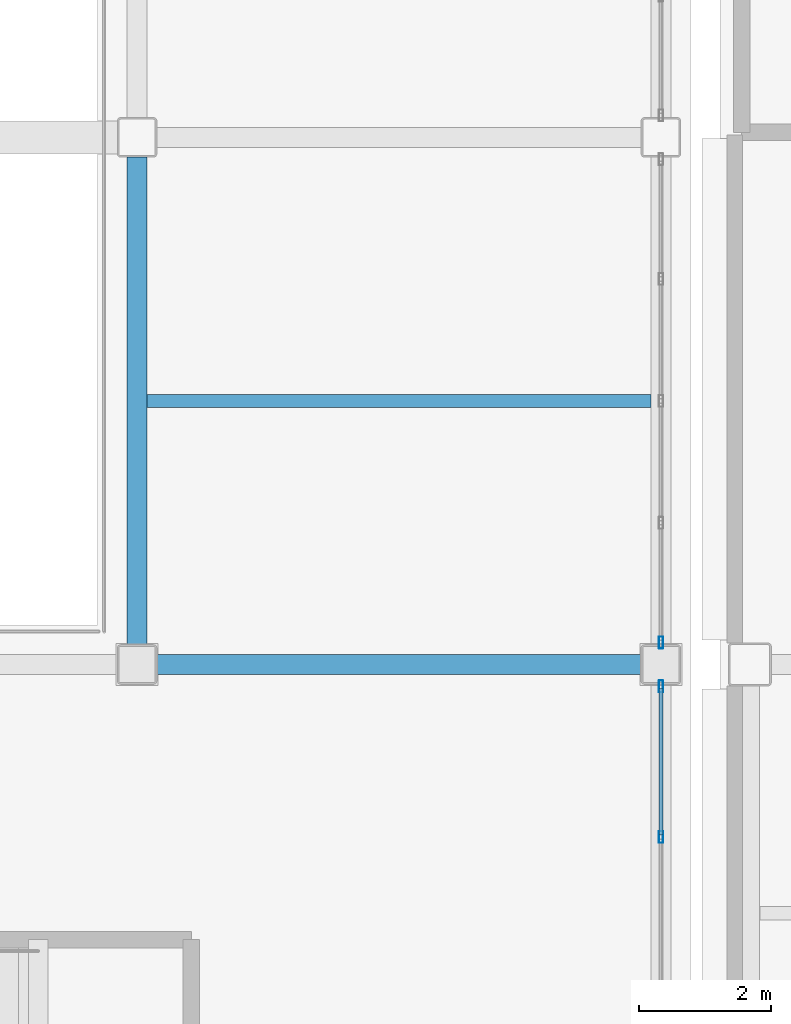
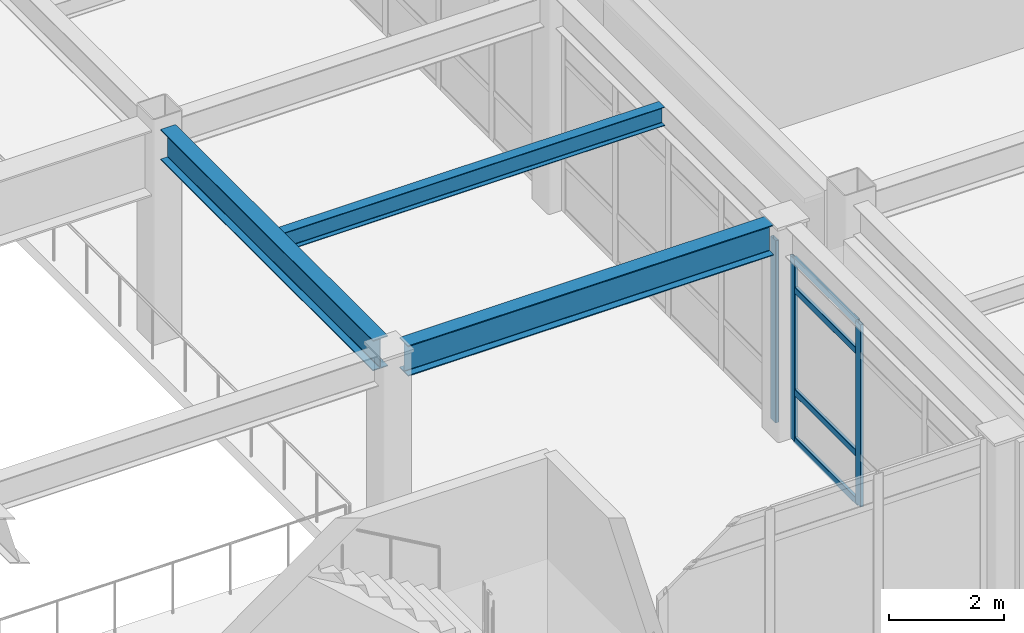
# One storey, part 17 of 172: 7 members, 3 beams, 2 elements without a shape of their own.
"""IFC4 building model written with IfcOpenShell, lengths in metres."""

from ifc_helpers import new_model, si_unit, direction, frame, origin, origin_2d, place, context, subcontext, project, spatial, hollow_rectangle, i_section, extrude, material, layer, layer_set, material_profile, profile_set, type_object, element, aggregate, save


model = new_model("IFC4")

# Units and contexts
model_context = context("Model", 3, precision=1e-05, world=origin(), true_north=direction((0.0, 1.0)))
body_context = subcontext(model_context, "Body", "Model", "MODEL_VIEW")
ifc_project = project(units=[si_unit("LENGTHUNIT", "METRE"), si_unit("AREAUNIT", "SQUARE_METRE"), si_unit("VOLUMEUNIT", "CUBIC_METRE"), si_unit("PLANEANGLEUNIT", "RADIAN"), si_unit("MASSUNIT", "GRAM", prefix="KILO")], contexts=[model_context])

# Site, building, storey
site_placement = place(None, origin())
site = spatial("IfcSite", under=ifc_project, at=site_placement, CompositionType="ELEMENT")
building_placement = place(site_placement, origin())
building = spatial("IfcBuilding", under=site, at=building_placement, Name="Kazehara Bluff Congress Hotel", CompositionType="ELEMENT")
storey_placement = place(building_placement, frame((0.0, 0.0, 5.39990234375)))
storey = spatial("IfcBuildingStorey", under=building, at=storey_placement, Name="L01", CompositionType="ELEMENT", Elevation=5.39990234375)

# Curtain wall, members
ifc_material_1 = material(Name="Anodised aluminium", Category="aluminium")
ifc_layer_1 = layer(ifc_material_1, 0.159912109375)
ifc_layer_set_1 = layer_set([ifc_layer_1], Name="Anodised aluminium")
curtain_wall_type_1 = type_object("IfcCurtainWallType", Name="TP-CW-33", PredefinedType="NOTDEFINED", material=ifc_layer_set_1)
curtain_wall_1_placement = place(storey_placement, origin())
curtain_wall_1 = element("IfcCurtainWall", 1, at=curtain_wall_1_placement, inside=storey, type_object=curtain_wall_type_1, Name="L01 curtain wall CW-33 CW-V2-L01-X5835-75", PredefinedType="NOTDEFINED")
ifc_material_2 = material(Name="Anodised aluminium", Category="aluminium")
ifc_material_profile_1 = material_profile(ifc_material_2, hollow_rectangle(XDim=0.06494140625, YDim=0.179931640625, WallThickness=0.00390625, InnerFilletRadius=0.00390625, OuterFilletRadius=0.008056640625, at=origin_2d()))
ifc_profile_set_1 = profile_set([ifc_material_profile_1], Name="Anodised aluminium")
member_type_1 = type_object("IfcMemberType", Name="TP-CWM-02", PredefinedType="MULLION", material=ifc_profile_set_1)
member_1_placement = place(storey_placement, frame((58.35009765625, 5.38330078125, 0.0), z_axis=(0.0, 0.0, 1.0), x_axis=(-1.0, 0.0, 0.0)))
member_1 = element("IfcMember", 2, at=member_1_placement, type_object=member_type_1, Name="CW-33 mullion 3", PredefinedType="MULLION", context=body_context, shape_type="SweptSolid", body=[
    extrude(hollow_rectangle(XDim=0.06494140625, YDim=0.179931640625, WallThickness=0.00390625, InnerFilletRadius=0.00390625, OuterFilletRadius=0.008056640625, at=origin_2d()), origin(), (0.0, 0.0, 1.0), 3.875),
])
member_2_placement = place(storey_placement, frame((58.35009765625, 7.66748046875, 0.0), z_axis=(0.0, 0.0, 1.0), x_axis=(-1.0, 0.0, 0.0)))
member_2 = element("IfcMember", 3, at=member_2_placement, type_object=member_type_1, Name="CW-33 mullion 4", PredefinedType="MULLION", context=body_context, shape_type="SweptSolid", body=[
    extrude(hollow_rectangle(XDim=0.06494140625, YDim=0.179931640625, WallThickness=0.00390625, InnerFilletRadius=0.00390625, OuterFilletRadius=0.008056640625, at=origin_2d()), origin(), (0.0, 0.0, 1.0), 3.875),
])

# Curtain wall, member
ifc_material_3 = material(Name="Anodised aluminium", Category="aluminium")
ifc_layer_2 = layer(ifc_material_3, 0.159912109375)
ifc_layer_set_2 = layer_set([ifc_layer_2], Name="Anodised aluminium")
curtain_wall_type_2 = type_object("IfcCurtainWallType", Name="TP-CW-34", PredefinedType="NOTDEFINED", material=ifc_layer_set_2)
curtain_wall_2_placement = place(storey_placement, origin())
curtain_wall_2 = element("IfcCurtainWall", 4, at=curtain_wall_2_placement, inside=storey, type_object=curtain_wall_type_2, Name="L01 curtain wall CW-34 CW-V2-L01-X5835-830", PredefinedType="NOTDEFINED")
member_3_placement = place(storey_placement, frame((58.35009765625, 8.33251953125, 0.0), z_axis=(0.0, 0.0, 1.0), x_axis=(-1.0, 0.0, 0.0)))
member_3 = element("IfcMember", 5, at=member_3_placement, type_object=member_type_1, Name="CW-34 mullion 1", PredefinedType="MULLION", context=body_context, shape_type="SweptSolid", body=[
    extrude(hollow_rectangle(XDim=0.06494140625, YDim=0.179931640625, WallThickness=0.00390625, InnerFilletRadius=0.00390625, OuterFilletRadius=0.008056640625, at=origin_2d()), origin(), (0.0, 0.0, 1.0), 3.875),
])
aggregate(curtain_wall_2, [member_3])

# Member
ifc_material_4 = material(Name="Anodised aluminium", Category="aluminium")
ifc_material_profile_2 = material_profile(ifc_material_4, hollow_rectangle(XDim=0.06494140625, YDim=0.139892578125, WallThickness=0.00390625, InnerFilletRadius=0.00390625, OuterFilletRadius=0.008056640625, at=origin_2d()))
ifc_profile_set_2 = profile_set([ifc_material_profile_2], Name="Anodised aluminium")
member_type_2 = type_object("IfcMemberType", Name="TP-CWT-02", PredefinedType="USERDEFINED", material=ifc_profile_set_2)
member_4_placement = place(storey_placement, frame((58.35009765625, 5.415771484375, 0.03271484375), z_axis=(0.0, 1.0, 0.0), x_axis=(-1.0, 0.0, 0.0)))
member_4 = element("IfcMember", 6, at=member_4_placement, type_object=member_type_2, Name="CW-33 transom 3.1", ObjectType="TRANSOM", PredefinedType="USERDEFINED", context=body_context, shape_type="SweptSolid", body=[
    extrude(hollow_rectangle(XDim=0.06494140625, YDim=0.139892578125, WallThickness=0.00390625, InnerFilletRadius=0.00390625, OuterFilletRadius=0.008056640625, at=origin_2d()), origin(), (0.0, 0.0, 1.0), 2.21923828125),
])

member_5_placement = place(storey_placement, frame((58.35009765625, 5.415771484375, 1.050048828125), z_axis=(0.0, 1.0, 0.0), x_axis=(-1.0, 0.0, 0.0)))
member_5 = element("IfcMember", 7, at=member_5_placement, type_object=member_type_2, Name="CW-33 transom 3.2", ObjectType="TRANSOM", PredefinedType="USERDEFINED", context=body_context, shape_type="SweptSolid", body=[
    extrude(hollow_rectangle(XDim=0.06494140625, YDim=0.139892578125, WallThickness=0.00390625, InnerFilletRadius=0.00390625, OuterFilletRadius=0.008056640625, at=origin_2d()), origin(), (0.0, 0.0, 1.0), 2.21923828125),
])

member_6_placement = place(storey_placement, frame((58.35009765625, 5.415771484375, 3.22509765625), z_axis=(0.0, 1.0, 0.0), x_axis=(-1.0, 0.0, 0.0)))
member_6 = element("IfcMember", 8, at=member_6_placement, type_object=member_type_2, Name="CW-33 transom 3.3", ObjectType="TRANSOM", PredefinedType="USERDEFINED", context=body_context, shape_type="SweptSolid", body=[
    extrude(hollow_rectangle(XDim=0.06494140625, YDim=0.139892578125, WallThickness=0.00390625, InnerFilletRadius=0.00390625, OuterFilletRadius=0.008056640625, at=origin_2d()), origin(), (0.0, 0.0, 1.0), 2.21923828125),
])

member_7_placement = place(storey_placement, frame((58.35009765625, 5.415771484375, 3.842529296875), z_axis=(0.0, 1.0, 0.0), x_axis=(-1.0, 0.0, 0.0)))
member_7 = element("IfcMember", 9, at=member_7_placement, type_object=member_type_2, Name="CW-33 transom 3.4", ObjectType="TRANSOM", PredefinedType="USERDEFINED", context=body_context, shape_type="SweptSolid", body=[
    extrude(hollow_rectangle(XDim=0.06494140625, YDim=0.139892578125, WallThickness=0.00390625, InnerFilletRadius=0.00390625, OuterFilletRadius=0.008056640625, at=origin_2d()), origin(), (0.0, 0.0, 1.0), 2.21923828125),
])

aggregate(curtain_wall_1, [member_1, member_2, member_4, member_5, member_6, member_7])

# Beams
ifc_material_5 = material(Name="Steel SN490B", Category="steel")
ifc_material_profile_3 = material_profile(ifc_material_5, i_section(OverallWidth=0.300048828125, OverallDepth=0.64990234375, WebThickness=0.011962890625, FlangeThickness=0.02001953125, FilletRadius=0.012939453125, at=origin_2d()))
ifc_profile_set_3 = profile_set([ifc_material_profile_3], Name="Steel SN490B")
beam_type_1 = type_object("IfcBeamType", Name="TP-G-03", PredefinedType="BEAM", material=ifc_profile_set_3)
beam_1_placement = place(storey_placement, frame((50.39990234375, 8.300048828125, 4.22509765625), z_axis=(0.0, 1.0, 0.0), x_axis=(-1.0, 0.0, 0.0)))
element("IfcBeam", 10, at=beam_1_placement, inside=storey, type_object=beam_type_1, Name="L01 girder G-03 61", PredefinedType="BEAM", context=body_context, shape_type="SweptSolid", body=[
    extrude(i_section(OverallWidth=0.300048828125, OverallDepth=0.64990234375, WebThickness=0.011962890625, FlangeThickness=0.02001953125, FilletRadius=0.012939453125, at=origin_2d()), origin(), (0.0, 0.0, 1.0), 7.39990234375),
])
beam_2_placement = place(storey_placement, frame((50.699951171875, 8.0, 4.22509765625), z_axis=(1.0, 0.0, 0.0), x_axis=(0.0, 1.0, 0.0)))
element("IfcBeam", 11, at=beam_2_placement, inside=storey, type_object=beam_type_1, Name="L01 girder G-03 79", PredefinedType="BEAM", context=body_context, shape_type="SweptSolid", body=[
    extrude(i_section(OverallWidth=0.300048828125, OverallDepth=0.64990234375, WebThickness=0.011962890625, FlangeThickness=0.02001953125, FilletRadius=0.012939453125, at=origin_2d()), origin(), (0.0, 0.0, 1.0), 7.35009765625),
])
ifc_material_6 = material(Name="Steel SN400B", Category="steel")
ifc_material_profile_4 = material_profile(ifc_material_6, i_section(OverallWidth=0.199951171875, OverallDepth=0.39990234375, WebThickness=0.008056640625, FlangeThickness=0.012939453125, FilletRadius=0.012939453125, at=origin_2d()))
ifc_profile_set_4 = profile_set([ifc_material_profile_4], Name="Steel SN400B")
beam_type_2 = type_object("IfcBeamType", Name="TP-J-03", PredefinedType="JOIST", material=ifc_profile_set_4)
beam_3_placement = place(storey_placement, frame((50.550048828125, 12.0, 4.35009765625), z_axis=(1.0, 0.0, 0.0), x_axis=(0.0, 1.0, 0.0)))
element("IfcBeam", 12, at=beam_3_placement, inside=storey, type_object=beam_type_2, Name="L01 secondary joist J-03 11", PredefinedType="JOIST", context=body_context, shape_type="SweptSolid", body=[
    extrude(i_section(OverallWidth=0.199951171875, OverallDepth=0.39990234375, WebThickness=0.008056640625, FlangeThickness=0.012939453125, FilletRadius=0.012939453125, at=origin_2d()), origin(), (0.0, 0.0, 1.0), 7.64990234375),
])

save(model, "model.ifc")
